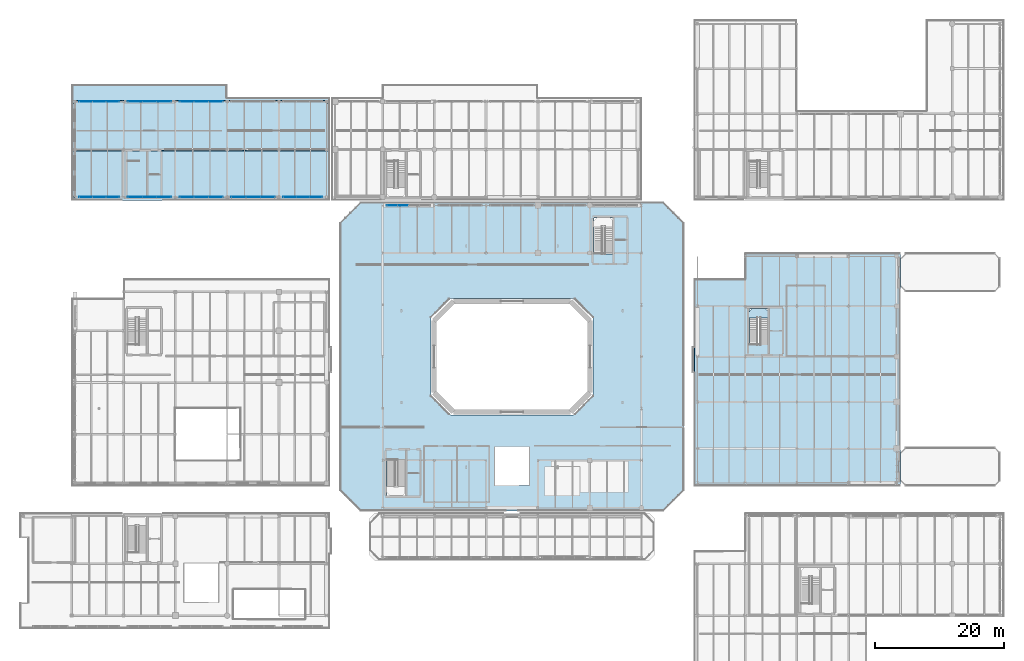
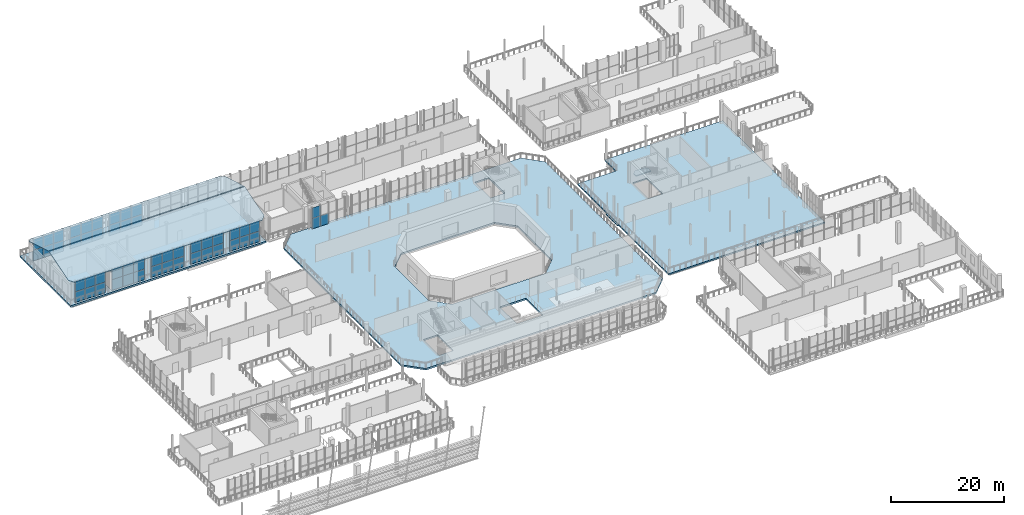
# One storey, part 63 of 93: 51 plates, 7 slabs, 10 elements without a shape of their own.
"""IFC4 building model written with IfcOpenShell, lengths in metres."""

import ifcopenshell
import ifcopenshell.guid

model = None  # the IFC model being written
_history = None  # IfcOwnerHistory: only IFC2X3 demands one
_inside = {}  # id of a spatial element -> (the spatial element, [elements in it])
_under = {}  # id of a project, library or spatial element -> (it, [spatial elements below it])
_declared = {}  # id of a project -> (the project, [libraries it declares])
_typed = {}  # id of a type object -> (the type object, [elements of that type])
_made_of = {}  # id of a material, layer set ... -> (it, [elements and type objects made of it])


def new_model(schema):
    """Start an empty IFC model of exactly this schema.

    Asked for "IFC4X3", IfcOpenShell would pick the latest addendum, in which some entities
    have other attributes; the version numbers below select the first issue.
    IFC2X3 requires an IfcOwnerHistory on every rooted entity: one is made here for all.
    """
    global model, _history
    if schema == "IFC4X3":
        model = ifcopenshell.file(schema_version=(4, 3, 0, 0))
    else:
        model = ifcopenshell.file(schema=schema)
    _inside.clear()
    _under.clear()
    _declared.clear()
    _typed.clear()
    _made_of.clear()
    _history = None
    if model.schema == "IFC2X3":
        org = make("IfcOrganization", Name="unknown")
        user = make(
            "IfcPersonAndOrganization",
            ThePerson=make("IfcPerson", FamilyName="unknown"),
            TheOrganization=org,
        )
        app = make(
            "IfcApplication",
            ApplicationDeveloper=org,
            Version="unknown",
            ApplicationFullName="unknown",
            ApplicationIdentifier="unknown",
        )
        _history = make(
            "IfcOwnerHistory",
            OwningUser=user,
            OwningApplication=app,
            ChangeAction="ADDED",
            CreationDate=0,
        )
    return model


def make(cls, **values):
    """One entity of the class cls with the attributes given. An attribute that is None is left unset."""
    return model.create_entity(
        cls, **{name: value for name, value in values.items() if value is not None}
    )


def rooted(cls, **values):
    """An entity with a GlobalId (a new one), such as an element, a storey or a relation."""
    return make(cls, GlobalId=ifcopenshell.guid.new(), OwnerHistory=_history, **values)


def si_unit(unit_type, name, prefix=None):
    """IfcSIUnit, for example si_unit("LENGTHUNIT", "METRE", prefix="MILLI")."""
    return make("IfcSIUnit", UnitType=unit_type, Prefix=prefix, Name=name)


def assignment(units):
    """IfcUnitAssignment: the units of a project."""
    return None if units is None else make("IfcUnitAssignment", Units=units)


def point(xyz):
    """IfcCartesianPoint."""
    return None if xyz is None else make("IfcCartesianPoint", Coordinates=xyz)


def direction(xyz):
    """IfcDirection."""
    return None if xyz is None else make("IfcDirection", DirectionRatios=xyz)


def frame(location, z_axis=None, x_axis=None):
    """IfcAxis2Placement3D, a coordinate frame: its origin and axes. An axis left out is left unset."""
    return make(
        "IfcAxis2Placement3D",
        Location=point(location),
        Axis=direction(z_axis),
        RefDirection=direction(x_axis),
    )


def frame_2d(location, x_axis=None):
    """IfcAxis2Placement2D, a coordinate frame in the plane: its origin and x axis."""
    return make(
        "IfcAxis2Placement2D", Location=point(location), RefDirection=direction(x_axis)
    )


def origin():
    """The frame at (0, 0, 0) with its axes left unset."""
    return frame((0.0, 0.0, 0.0))


def origin_2d():
    """The frame at (0, 0) in the plane with its x axis left unset."""
    return frame_2d((0.0, 0.0))


def place(relative_to, where):
    """IfcLocalPlacement: puts the frame where relative to a parent placement (None: the world)."""
    return make(
        "IfcLocalPlacement", PlacementRelTo=relative_to, RelativePlacement=where
    )


def context(
    kind, dimensions, precision=None, world=None, true_north=None, identifier=None
):
    """IfcGeometricRepresentationContext, for example the 3D "Model" context."""
    return make(
        "IfcGeometricRepresentationContext",
        ContextIdentifier=identifier,
        ContextType=kind,
        CoordinateSpaceDimension=dimensions,
        Precision=precision,
        WorldCoordinateSystem=world,
        TrueNorth=true_north,
    )


def subcontext(parent, identifier, kind, view, scale=None):
    """IfcGeometricRepresentationSubContext, for example "Body" below "Model"."""
    return make(
        "IfcGeometricRepresentationSubContext",
        ContextIdentifier=identifier,
        ContextType=kind,
        ParentContext=parent,
        TargetScale=scale,
        TargetView=view,
    )


def project(units=None, contexts=None):
    """IfcProject with its units and contexts."""
    return rooted(
        "IfcProject",
        Name="project",
        RepresentationContexts=contexts,
        UnitsInContext=assignment(units),
    )


def spatial(cls, under=None, at=None, **own):
    """A site, building, storey or space (cls), placed at a placement, below another one or the project."""
    s = rooted(cls, ObjectPlacement=at, **own)
    if under is not None:
        _under.setdefault(under.id(), (under, []))[1].append(s)
    return s


def polyline(points):
    """IfcPolyline through the points."""
    return make("IfcPolyline", Points=[point(p) for p in points])


def profile(cls, at=None, kind="AREA", **sizes):
    """A parametric profile (cls). Its sizes go by their IFC names, for example OverallWidth=200.0."""
    return make(cls, ProfileType=kind, Position=at, **sizes)


def rectangle(**sizes):
    """IfcRectangleProfileDef."""
    return profile("IfcRectangleProfileDef", **sizes)


def outline(outer, holes=None, kind="AREA"):
    """IfcArbitraryClosedProfileDef: a profile drawn as a closed curve; with holes, ...WithVoids."""
    if holes is None:
        return make("IfcArbitraryClosedProfileDef", ProfileType=kind, OuterCurve=outer)
    return make(
        "IfcArbitraryProfileDefWithVoids",
        ProfileType=kind,
        OuterCurve=outer,
        InnerCurves=holes,
    )


def extrude(swept, where, along, depth):
    """IfcExtrudedAreaSolid: the profile swept, set in the frame where, extruded along a direction by depth."""
    return make(
        "IfcExtrudedAreaSolid",
        SweptArea=swept,
        Position=where,
        ExtrudedDirection=direction(along),
        Depth=depth,
    )


def shape(context_of_items, identifier, shape_type, items):
    """IfcShapeRepresentation: the items that make up one representation, for example the "Body"."""
    return make(
        "IfcShapeRepresentation",
        ContextOfItems=context_of_items,
        RepresentationIdentifier=identifier,
        RepresentationType=shape_type,
        Items=items,
    )


def material(Name=None, Category=None):
    """IfcMaterial."""
    return make("IfcMaterial", Name=Name, Category=Category)


def layer(
    of_material, thickness, ventilated=None, Name=None, Category=None, Priority=None
):
    """IfcMaterialLayer: one layer of a wall or slab, of a material (None: an air gap)."""
    return make(
        "IfcMaterialLayer",
        Material=of_material,
        LayerThickness=thickness,
        IsVentilated=ventilated,
        Name=Name,
        Category=Category,
        Priority=Priority,
    )


def layer_set(layers, Name=None):
    """IfcMaterialLayerSet."""
    return make("IfcMaterialLayerSet", MaterialLayers=layers, LayerSetName=Name)


def made_of(thing, what):
    """Note that an element or type object is made of a material, layer set ...; save() writes the relation."""
    if what is not None:
        _made_of.setdefault(what.id(), (what, []))[1].append(thing)
    return thing


def type_object(cls, material=None, **own):
    """A type object (cls), such as IfcWallType, which elements share."""
    return made_of(rooted(cls, **own), material)


def element(
    cls,
    number,
    at=None,
    inside=None,
    cuts=None,
    type_object=None,
    material=None,
    context=None,
    identifier="Body",
    shape_type=None,
    held_by="IfcProductDefinitionShape",
    body=None,
    shapes=None,
    **own,
):
    """One element of the class cls, such as IfcWall. Its Tag is "e" and its number.

    at: its placement. inside: the storey or other place that contains it. cuts: it is an
    opening in that element (IfcRelVoidsElement). A single representation is given by context,
    identifier, shape_type and body (its items); several are given by shapes. held_by: the class
    of the entity that holds the representations. save() writes the other relations.
    """
    e = rooted(cls, Tag="e%d" % number, ObjectPlacement=at, **own)
    if body is not None:
        shapes = [shape(context, identifier, shape_type, body)]
    if shapes is not None:
        e.Representation = make(held_by, Representations=shapes)
    if inside is not None:
        _inside.setdefault(inside.id(), (inside, []))[1].append(e)
    if cuts is not None:
        rooted(
            "IfcRelVoidsElement", RelatingBuildingElement=cuts, RelatedOpeningElement=e
        )
    if type_object is not None:
        _typed.setdefault(type_object.id(), (type_object, []))[1].append(e)
    return made_of(e, material)


def aggregate(whole, parts):
    """IfcRelAggregates: a whole, such as a stair, and the parts it consists of."""
    return rooted("IfcRelAggregates", RelatingObject=whole, RelatedObjects=parts)


def save(model, path):
    """Write the relations noted so far, then the file.

    IfcRelAggregates (storeys below a building ...), IfcRelContainedInSpatialStructure (elements
    in a storey), IfcRelDefinesByType, IfcRelAssociatesMaterial and IfcRelDeclares: one each for
    every whole, place, type object, material and project.
    """
    for whole, parts in _under.values():
        aggregate(whole, parts)
    for where, things in _inside.values():
        rooted(
            "IfcRelContainedInSpatialStructure",
            RelatedElements=things,
            RelatingStructure=where,
        )
    for kind, things in _typed.values():
        rooted("IfcRelDefinesByType", RelatedObjects=things, RelatingType=kind)
    for what, things in _made_of.values():
        rooted("IfcRelAssociatesMaterial", RelatedObjects=things, RelatingMaterial=what)
    for by, libraries in _declared.values():
        rooted("IfcRelDeclares", RelatingContext=by, RelatedDefinitions=libraries)
    model.write(path)


model = new_model("IFC4")

# Units and contexts
model_context = context("Model", 3, precision=1e-05, world=origin(), true_north=direction((0.0, 1.0)))
body_context = subcontext(model_context, "Body", "Model", "MODEL_VIEW")
ifc_project = project(units=[si_unit("LENGTHUNIT", "METRE"), si_unit("AREAUNIT", "SQUARE_METRE"), si_unit("VOLUMEUNIT", "CUBIC_METRE"), si_unit("PLANEANGLEUNIT", "RADIAN"), si_unit("MASSUNIT", "GRAM", prefix="KILO")], contexts=[model_context])

# Site, building, storey
site_placement = place(None, origin())
site = spatial("IfcSite", under=ifc_project, at=site_placement, CompositionType="ELEMENT")
building_placement = place(site_placement, origin())
building = spatial("IfcBuilding", under=site, at=building_placement, Name="Brisemont Oceanarium", CompositionType="ELEMENT")
storey_placement = place(building_placement, frame((0.0, 0.0, 5.39990234375)))
storey = spatial("IfcBuildingStorey", under=building, at=storey_placement, Name="L01", CompositionType="ELEMENT", Elevation=5.39990234375)

# Curtain wall, plates
ifc_material_1 = material(Name="Anodized Extruded Aluminum 6063-T6", Category="aluminium")
curtain_wall_type_1 = type_object("IfcCurtainWallType", Name="CW-CLR-58X36", PredefinedType="NOTDEFINED", material=ifc_material_1)
curtain_wall_1_placement = place(storey_placement, origin())
curtain_wall_1 = element("IfcCurtainWall", 1, at=curtain_wall_1_placement, inside=storey, type_object=curtain_wall_type_1, Name="CW-21 curtain wall CW-V7W-N-L01-01", PredefinedType="NOTDEFINED")
ifc_material_2 = material(Name="Ceramic-Fritted Spandrel Glass", Category="glass")
ifc_layer_1 = layer(ifc_material_2, 0.030029296875)
ifc_layer_set_1 = layer_set([ifc_layer_1], Name="Ceramic-Fritted Spandrel Glass")
plate_type_1 = type_object("IfcPlateType", Name="PLT-CWP-S3", PredefinedType="CURTAIN_PANEL", material=ifc_layer_set_1)
plate_1_placement = place(storey_placement, frame((18.183349609375, 95.39990234375, 0.00146484375), z_axis=(0.0, 0.0, 1.0), x_axis=(1.0, 0.0, 0.0)))
plate_1 = element("IfcPlate", 2, at=plate_1_placement, type_object=plate_type_1, Name="CW-V7W-N-L01-01 panel 1.1", PredefinedType="CURTAIN_PANEL", context=body_context, shape_type="SweptSolid", body=[
    extrude(rectangle(XDim=2.063720703125, YDim=0.030029296875, at=origin_2d()), origin(), (0.0, 0.0, 1.0), 2.297119140625),
])
plate_2_placement = place(storey_placement, frame((18.183349609375, 95.39990234375, 2.3017578125), z_axis=(0.0, 0.0, 1.0), x_axis=(1.0, 0.0, 0.0)))
plate_2 = element("IfcPlate", 3, at=plate_2_placement, type_object=plate_type_1, Name="CW-V7W-N-L01-01 panel 1.2", PredefinedType="CURTAIN_PANEL", context=body_context, shape_type="SweptSolid", body=[
    extrude(rectangle(XDim=2.063720703125, YDim=0.030029296875, at=origin_2d()), origin(), (0.0, 0.0, 1.0), 2.297119140625),
])
plate_3_placement = place(storey_placement, frame((20.25, 95.39990234375, 0.00146484375), z_axis=(0.0, 0.0, 1.0), x_axis=(1.0, 0.0, 0.0)))
plate_3 = element("IfcPlate", 4, at=plate_3_placement, type_object=plate_type_1, Name="CW-V7W-N-L01-01 panel 2.1", PredefinedType="CURTAIN_PANEL", context=body_context, shape_type="SweptSolid", body=[
    extrude(rectangle(XDim=2.063720703125, YDim=0.030029296875, at=origin_2d()), origin(), (0.0, 0.0, 1.0), 2.297119140625),
])
plate_4_placement = place(storey_placement, frame((20.25, 95.39990234375, 2.3017578125), z_axis=(0.0, 0.0, 1.0), x_axis=(1.0, 0.0, 0.0)))
plate_4 = element("IfcPlate", 5, at=plate_4_placement, type_object=plate_type_1, Name="CW-V7W-N-L01-01 panel 2.2", PredefinedType="CURTAIN_PANEL", context=body_context, shape_type="SweptSolid", body=[
    extrude(rectangle(XDim=2.063720703125, YDim=0.030029296875, at=origin_2d()), origin(), (0.0, 0.0, 1.0), 2.297119140625),
])
plate_5_placement = place(storey_placement, frame((22.316650390625, 95.39990234375, 0.00146484375), z_axis=(0.0, 0.0, 1.0), x_axis=(1.0, 0.0, 0.0)))
plate_5 = element("IfcPlate", 6, at=plate_5_placement, type_object=plate_type_1, Name="CW-V7W-N-L01-01 panel 3.1", PredefinedType="CURTAIN_PANEL", context=body_context, shape_type="SweptSolid", body=[
    extrude(rectangle(XDim=2.063720703125, YDim=0.030029296875, at=origin_2d()), origin(), (0.0, 0.0, 1.0), 2.297119140625),
])
plate_6_placement = place(storey_placement, frame((22.316650390625, 95.39990234375, 2.3017578125), z_axis=(0.0, 0.0, 1.0), x_axis=(1.0, 0.0, 0.0)))
plate_6 = element("IfcPlate", 7, at=plate_6_placement, type_object=plate_type_1, Name="CW-V7W-N-L01-01 panel 3.2", PredefinedType="CURTAIN_PANEL", context=body_context, shape_type="SweptSolid", body=[
    extrude(rectangle(XDim=2.063720703125, YDim=0.030029296875, at=origin_2d()), origin(), (0.0, 0.0, 1.0), 2.297119140625),
])
aggregate(curtain_wall_1, [plate_1, plate_2, plate_3, plate_4, plate_5, plate_6])

curtain_wall_2_placement = place(storey_placement, origin())
curtain_wall_2 = element("IfcCurtainWall", 8, at=curtain_wall_2_placement, inside=storey, type_object=curtain_wall_type_1, Name="CW-21 curtain wall CW-V7W-N-L01-02", PredefinedType="NOTDEFINED")
plate_7_placement = place(storey_placement, frame((25.7666015625, 95.39990234375, 0.00146484375), z_axis=(0.0, 0.0, 1.0), x_axis=(1.0, 0.0, 0.0)))
plate_7 = element("IfcPlate", 9, at=plate_7_placement, type_object=plate_type_1, Name="CW-V7W-N-L01-02 panel 1.1", PredefinedType="CURTAIN_PANEL", context=body_context, shape_type="SweptSolid", body=[
    extrude(rectangle(XDim=2.230224609375, YDim=0.030029296875, at=origin_2d()), origin(), (0.0, 0.0, 1.0), 2.297119140625),
])
plate_8_placement = place(storey_placement, frame((25.7666015625, 95.39990234375, 2.3017578125), z_axis=(0.0, 0.0, 1.0), x_axis=(1.0, 0.0, 0.0)))
plate_8 = element("IfcPlate", 10, at=plate_8_placement, type_object=plate_type_1, Name="CW-V7W-N-L01-02 panel 1.2", PredefinedType="CURTAIN_PANEL", context=body_context, shape_type="SweptSolid", body=[
    extrude(rectangle(XDim=2.230224609375, YDim=0.030029296875, at=origin_2d()), origin(), (0.0, 0.0, 1.0), 2.297119140625),
])
plate_9_placement = place(storey_placement, frame((28.0, 95.39990234375, 0.00146484375), z_axis=(0.0, 0.0, 1.0), x_axis=(1.0, 0.0, 0.0)))
plate_9 = element("IfcPlate", 11, at=plate_9_placement, type_object=plate_type_1, Name="CW-V7W-N-L01-02 panel 2.1", PredefinedType="CURTAIN_PANEL", context=body_context, shape_type="SweptSolid", body=[
    extrude(rectangle(XDim=2.230224609375, YDim=0.030029296875, at=origin_2d()), origin(), (0.0, 0.0, 1.0), 2.297119140625),
])
plate_10_placement = place(storey_placement, frame((28.0, 95.39990234375, 2.3017578125), z_axis=(0.0, 0.0, 1.0), x_axis=(1.0, 0.0, 0.0)))
plate_10 = element("IfcPlate", 12, at=plate_10_placement, type_object=plate_type_1, Name="CW-V7W-N-L01-02 panel 2.2", PredefinedType="CURTAIN_PANEL", context=body_context, shape_type="SweptSolid", body=[
    extrude(rectangle(XDim=2.230224609375, YDim=0.030029296875, at=origin_2d()), origin(), (0.0, 0.0, 1.0), 2.297119140625),
])
plate_11_placement = place(storey_placement, frame((30.2333984375, 95.39990234375, 0.00146484375), z_axis=(0.0, 0.0, 1.0), x_axis=(1.0, 0.0, 0.0)))
plate_11 = element("IfcPlate", 13, at=plate_11_placement, type_object=plate_type_1, Name="CW-V7W-N-L01-02 panel 3.1", PredefinedType="CURTAIN_PANEL", context=body_context, shape_type="SweptSolid", body=[
    extrude(rectangle(XDim=2.230224609375, YDim=0.030029296875, at=origin_2d()), origin(), (0.0, 0.0, 1.0), 2.297119140625),
])
plate_12_placement = place(storey_placement, frame((30.2333984375, 95.39990234375, 2.3017578125), z_axis=(0.0, 0.0, 1.0), x_axis=(1.0, 0.0, 0.0)))
plate_12 = element("IfcPlate", 14, at=plate_12_placement, type_object=plate_type_1, Name="CW-V7W-N-L01-02 panel 3.2", PredefinedType="CURTAIN_PANEL", context=body_context, shape_type="SweptSolid", body=[
    extrude(rectangle(XDim=2.230224609375, YDim=0.030029296875, at=origin_2d()), origin(), (0.0, 0.0, 1.0), 2.297119140625),
])
aggregate(curtain_wall_2, [plate_7, plate_8, plate_9, plate_10, plate_11, plate_12])

curtain_wall_3_placement = place(storey_placement, origin())
curtain_wall_3 = element("IfcCurtainWall", 15, at=curtain_wall_3_placement, inside=storey, type_object=curtain_wall_type_1, Name="CW-21 curtain wall CW-V7W-N-L01-03", PredefinedType="NOTDEFINED")
plate_13_placement = place(storey_placement, frame((33.7666015625, 95.39990234375, 0.00146484375), z_axis=(0.0, 0.0, 1.0), x_axis=(1.0, 0.0, 0.0)))
plate_13 = element("IfcPlate", 16, at=plate_13_placement, type_object=plate_type_1, Name="CW-V7W-N-L01-03 panel 1.1", PredefinedType="CURTAIN_PANEL", context=body_context, shape_type="SweptSolid", body=[
    extrude(rectangle(XDim=2.230224609375, YDim=0.030029296875, at=origin_2d()), origin(), (0.0, 0.0, 1.0), 2.297119140625),
])
plate_14_placement = place(storey_placement, frame((33.7666015625, 95.39990234375, 2.3017578125), z_axis=(0.0, 0.0, 1.0), x_axis=(1.0, 0.0, 0.0)))
plate_14 = element("IfcPlate", 17, at=plate_14_placement, type_object=plate_type_1, Name="CW-V7W-N-L01-03 panel 1.2", PredefinedType="CURTAIN_PANEL", context=body_context, shape_type="SweptSolid", body=[
    extrude(rectangle(XDim=2.230224609375, YDim=0.030029296875, at=origin_2d()), origin(), (0.0, 0.0, 1.0), 2.297119140625),
])
plate_15_placement = place(storey_placement, frame((36.0, 95.39990234375, 0.00146484375), z_axis=(0.0, 0.0, 1.0), x_axis=(1.0, 0.0, 0.0)))
plate_15 = element("IfcPlate", 18, at=plate_15_placement, type_object=plate_type_1, Name="CW-V7W-N-L01-03 panel 2.1", PredefinedType="CURTAIN_PANEL", context=body_context, shape_type="SweptSolid", body=[
    extrude(rectangle(XDim=2.230224609375, YDim=0.030029296875, at=origin_2d()), origin(), (0.0, 0.0, 1.0), 2.297119140625),
])
plate_16_placement = place(storey_placement, frame((36.0, 95.39990234375, 2.3017578125), z_axis=(0.0, 0.0, 1.0), x_axis=(1.0, 0.0, 0.0)))
plate_16 = element("IfcPlate", 19, at=plate_16_placement, type_object=plate_type_1, Name="CW-V7W-N-L01-03 panel 2.2", PredefinedType="CURTAIN_PANEL", context=body_context, shape_type="SweptSolid", body=[
    extrude(rectangle(XDim=2.230224609375, YDim=0.030029296875, at=origin_2d()), origin(), (0.0, 0.0, 1.0), 2.297119140625),
])
plate_17_placement = place(storey_placement, frame((38.2333984375, 95.39990234375, 0.00146484375), z_axis=(0.0, 0.0, 1.0), x_axis=(1.0, 0.0, 0.0)))
plate_17 = element("IfcPlate", 20, at=plate_17_placement, type_object=plate_type_1, Name="CW-V7W-N-L01-03 panel 3.1", PredefinedType="CURTAIN_PANEL", context=body_context, shape_type="SweptSolid", body=[
    extrude(rectangle(XDim=2.230224609375, YDim=0.030029296875, at=origin_2d()), origin(), (0.0, 0.0, 1.0), 2.297119140625),
])
plate_18_placement = place(storey_placement, frame((38.2333984375, 95.39990234375, 2.3017578125), z_axis=(0.0, 0.0, 1.0), x_axis=(1.0, 0.0, 0.0)))
plate_18 = element("IfcPlate", 21, at=plate_18_placement, type_object=plate_type_1, Name="CW-V7W-N-L01-03 panel 3.2", PredefinedType="CURTAIN_PANEL", context=body_context, shape_type="SweptSolid", body=[
    extrude(rectangle(XDim=2.230224609375, YDim=0.030029296875, at=origin_2d()), origin(), (0.0, 0.0, 1.0), 2.297119140625),
])
aggregate(curtain_wall_3, [plate_13, plate_14, plate_15, plate_16, plate_17, plate_18])

curtain_wall_4_placement = place(storey_placement, origin())
curtain_wall_4 = element("IfcCurtainWall", 22, at=curtain_wall_4_placement, inside=storey, type_object=curtain_wall_type_1, Name="CW-21 curtain wall CW-V7W-S-L01-01", PredefinedType="NOTDEFINED")
plate_19_placement = place(storey_placement, frame((18.183349609375, 80.64990234375, 0.00146484375), z_axis=(0.0, 0.0, 1.0), x_axis=(1.0, 0.0, 0.0)))
plate_19 = element("IfcPlate", 23, at=plate_19_placement, type_object=plate_type_1, Name="CW-V7W-S-L01-01 panel 1.1", PredefinedType="CURTAIN_PANEL", context=body_context, shape_type="SweptSolid", body=[
    extrude(rectangle(XDim=2.063720703125, YDim=0.030029296875, at=origin_2d()), origin(), (0.0, 0.0, 1.0), 2.297119140625),
])
plate_20_placement = place(storey_placement, frame((18.183349609375, 80.64990234375, 2.3017578125), z_axis=(0.0, 0.0, 1.0), x_axis=(1.0, 0.0, 0.0)))
plate_20 = element("IfcPlate", 24, at=plate_20_placement, type_object=plate_type_1, Name="CW-V7W-S-L01-01 panel 1.2", PredefinedType="CURTAIN_PANEL", context=body_context, shape_type="SweptSolid", body=[
    extrude(rectangle(XDim=2.063720703125, YDim=0.030029296875, at=origin_2d()), origin(), (0.0, 0.0, 1.0), 2.297119140625),
])
plate_21_placement = place(storey_placement, frame((20.25, 80.64990234375, 0.00146484375), z_axis=(0.0, 0.0, 1.0), x_axis=(1.0, 0.0, 0.0)))
plate_21 = element("IfcPlate", 25, at=plate_21_placement, type_object=plate_type_1, Name="CW-V7W-S-L01-01 panel 2.1", PredefinedType="CURTAIN_PANEL", context=body_context, shape_type="SweptSolid", body=[
    extrude(rectangle(XDim=2.063720703125, YDim=0.030029296875, at=origin_2d()), origin(), (0.0, 0.0, 1.0), 2.297119140625),
])
plate_22_placement = place(storey_placement, frame((20.25, 80.64990234375, 2.3017578125), z_axis=(0.0, 0.0, 1.0), x_axis=(1.0, 0.0, 0.0)))
plate_22 = element("IfcPlate", 26, at=plate_22_placement, type_object=plate_type_1, Name="CW-V7W-S-L01-01 panel 2.2", PredefinedType="CURTAIN_PANEL", context=body_context, shape_type="SweptSolid", body=[
    extrude(rectangle(XDim=2.063720703125, YDim=0.030029296875, at=origin_2d()), origin(), (0.0, 0.0, 1.0), 2.297119140625),
])
plate_23_placement = place(storey_placement, frame((22.316650390625, 80.64990234375, 0.00146484375), z_axis=(0.0, 0.0, 1.0), x_axis=(1.0, 0.0, 0.0)))
plate_23 = element("IfcPlate", 27, at=plate_23_placement, type_object=plate_type_1, Name="CW-V7W-S-L01-01 panel 3.1", PredefinedType="CURTAIN_PANEL", context=body_context, shape_type="SweptSolid", body=[
    extrude(rectangle(XDim=2.063720703125, YDim=0.030029296875, at=origin_2d()), origin(), (0.0, 0.0, 1.0), 2.297119140625),
])
plate_24_placement = place(storey_placement, frame((22.316650390625, 80.64990234375, 2.3017578125), z_axis=(0.0, 0.0, 1.0), x_axis=(1.0, 0.0, 0.0)))
plate_24 = element("IfcPlate", 28, at=plate_24_placement, type_object=plate_type_1, Name="CW-V7W-S-L01-01 panel 3.2", PredefinedType="CURTAIN_PANEL", context=body_context, shape_type="SweptSolid", body=[
    extrude(rectangle(XDim=2.063720703125, YDim=0.030029296875, at=origin_2d()), origin(), (0.0, 0.0, 1.0), 2.297119140625),
])
aggregate(curtain_wall_4, [plate_19, plate_20, plate_21, plate_22, plate_23, plate_24])

curtain_wall_5_placement = place(storey_placement, origin())
curtain_wall_5 = element("IfcCurtainWall", 29, at=curtain_wall_5_placement, inside=storey, type_object=curtain_wall_type_1, Name="CW-21 curtain wall CW-V7W-S-L01-02", PredefinedType="NOTDEFINED")
plate_25_placement = place(storey_placement, frame((25.7666015625, 80.64990234375, 0.00146484375), z_axis=(0.0, 0.0, 1.0), x_axis=(1.0, 0.0, 0.0)))
plate_25 = element("IfcPlate", 30, at=plate_25_placement, type_object=plate_type_1, Name="CW-V7W-S-L01-02 panel 1.1", PredefinedType="CURTAIN_PANEL", context=body_context, shape_type="SweptSolid", body=[
    extrude(rectangle(XDim=2.230224609375, YDim=0.030029296875, at=origin_2d()), origin(), (0.0, 0.0, 1.0), 2.297119140625),
])
plate_26_placement = place(storey_placement, frame((25.7666015625, 80.64990234375, 2.3017578125), z_axis=(0.0, 0.0, 1.0), x_axis=(1.0, 0.0, 0.0)))
plate_26 = element("IfcPlate", 31, at=plate_26_placement, type_object=plate_type_1, Name="CW-V7W-S-L01-02 panel 1.2", PredefinedType="CURTAIN_PANEL", context=body_context, shape_type="SweptSolid", body=[
    extrude(rectangle(XDim=2.230224609375, YDim=0.030029296875, at=origin_2d()), origin(), (0.0, 0.0, 1.0), 2.297119140625),
])
plate_27_placement = place(storey_placement, frame((28.0, 80.64990234375, 0.00146484375), z_axis=(0.0, 0.0, 1.0), x_axis=(1.0, 0.0, 0.0)))
plate_27 = element("IfcPlate", 32, at=plate_27_placement, type_object=plate_type_1, Name="CW-V7W-S-L01-02 panel 2.1", PredefinedType="CURTAIN_PANEL", context=body_context, shape_type="SweptSolid", body=[
    extrude(rectangle(XDim=2.230224609375, YDim=0.030029296875, at=origin_2d()), origin(), (0.0, 0.0, 1.0), 2.297119140625),
])
plate_28_placement = place(storey_placement, frame((28.0, 80.64990234375, 2.3017578125), z_axis=(0.0, 0.0, 1.0), x_axis=(1.0, 0.0, 0.0)))
plate_28 = element("IfcPlate", 33, at=plate_28_placement, type_object=plate_type_1, Name="CW-V7W-S-L01-02 panel 2.2", PredefinedType="CURTAIN_PANEL", context=body_context, shape_type="SweptSolid", body=[
    extrude(rectangle(XDim=2.230224609375, YDim=0.030029296875, at=origin_2d()), origin(), (0.0, 0.0, 1.0), 2.297119140625),
])
plate_29_placement = place(storey_placement, frame((30.2333984375, 80.64990234375, 0.00146484375), z_axis=(0.0, 0.0, 1.0), x_axis=(1.0, 0.0, 0.0)))
plate_29 = element("IfcPlate", 34, at=plate_29_placement, type_object=plate_type_1, Name="CW-V7W-S-L01-02 panel 3.1", PredefinedType="CURTAIN_PANEL", context=body_context, shape_type="SweptSolid", body=[
    extrude(rectangle(XDim=2.230224609375, YDim=0.030029296875, at=origin_2d()), origin(), (0.0, 0.0, 1.0), 2.297119140625),
])
plate_30_placement = place(storey_placement, frame((30.2333984375, 80.64990234375, 2.3017578125), z_axis=(0.0, 0.0, 1.0), x_axis=(1.0, 0.0, 0.0)))
plate_30 = element("IfcPlate", 35, at=plate_30_placement, type_object=plate_type_1, Name="CW-V7W-S-L01-02 panel 3.2", PredefinedType="CURTAIN_PANEL", context=body_context, shape_type="SweptSolid", body=[
    extrude(rectangle(XDim=2.230224609375, YDim=0.030029296875, at=origin_2d()), origin(), (0.0, 0.0, 1.0), 2.297119140625),
])
aggregate(curtain_wall_5, [plate_25, plate_26, plate_27, plate_28, plate_29, plate_30])

curtain_wall_6_placement = place(storey_placement, origin())
curtain_wall_6 = element("IfcCurtainWall", 36, at=curtain_wall_6_placement, inside=storey, type_object=curtain_wall_type_1, Name="CW-21 curtain wall CW-V7W-S-L01-03", PredefinedType="NOTDEFINED")
plate_31_placement = place(storey_placement, frame((33.7666015625, 80.64990234375, 0.00146484375), z_axis=(0.0, 0.0, 1.0), x_axis=(1.0, 0.0, 0.0)))
plate_31 = element("IfcPlate", 37, at=plate_31_placement, type_object=plate_type_1, Name="CW-V7W-S-L01-03 panel 1.1", PredefinedType="CURTAIN_PANEL", context=body_context, shape_type="SweptSolid", body=[
    extrude(rectangle(XDim=2.230224609375, YDim=0.030029296875, at=origin_2d()), origin(), (0.0, 0.0, 1.0), 2.297119140625),
])
plate_32_placement = place(storey_placement, frame((33.7666015625, 80.64990234375, 2.3017578125), z_axis=(0.0, 0.0, 1.0), x_axis=(1.0, 0.0, 0.0)))
plate_32 = element("IfcPlate", 38, at=plate_32_placement, type_object=plate_type_1, Name="CW-V7W-S-L01-03 panel 1.2", PredefinedType="CURTAIN_PANEL", context=body_context, shape_type="SweptSolid", body=[
    extrude(rectangle(XDim=2.230224609375, YDim=0.030029296875, at=origin_2d()), origin(), (0.0, 0.0, 1.0), 2.297119140625),
])
plate_33_placement = place(storey_placement, frame((36.0, 80.64990234375, 0.00146484375), z_axis=(0.0, 0.0, 1.0), x_axis=(1.0, 0.0, 0.0)))
plate_33 = element("IfcPlate", 39, at=plate_33_placement, type_object=plate_type_1, Name="CW-V7W-S-L01-03 panel 2.1", PredefinedType="CURTAIN_PANEL", context=body_context, shape_type="SweptSolid", body=[
    extrude(rectangle(XDim=2.230224609375, YDim=0.030029296875, at=origin_2d()), origin(), (0.0, 0.0, 1.0), 2.297119140625),
])
plate_34_placement = place(storey_placement, frame((36.0, 80.64990234375, 2.3017578125), z_axis=(0.0, 0.0, 1.0), x_axis=(1.0, 0.0, 0.0)))
plate_34 = element("IfcPlate", 40, at=plate_34_placement, type_object=plate_type_1, Name="CW-V7W-S-L01-03 panel 2.2", PredefinedType="CURTAIN_PANEL", context=body_context, shape_type="SweptSolid", body=[
    extrude(rectangle(XDim=2.230224609375, YDim=0.030029296875, at=origin_2d()), origin(), (0.0, 0.0, 1.0), 2.297119140625),
])
plate_35_placement = place(storey_placement, frame((38.2333984375, 80.64990234375, 0.00146484375), z_axis=(0.0, 0.0, 1.0), x_axis=(1.0, 0.0, 0.0)))
plate_35 = element("IfcPlate", 41, at=plate_35_placement, type_object=plate_type_1, Name="CW-V7W-S-L01-03 panel 3.1", PredefinedType="CURTAIN_PANEL", context=body_context, shape_type="SweptSolid", body=[
    extrude(rectangle(XDim=2.230224609375, YDim=0.030029296875, at=origin_2d()), origin(), (0.0, 0.0, 1.0), 2.297119140625),
])
plate_36_placement = place(storey_placement, frame((38.2333984375, 80.64990234375, 2.3017578125), z_axis=(0.0, 0.0, 1.0), x_axis=(1.0, 0.0, 0.0)))
plate_36 = element("IfcPlate", 42, at=plate_36_placement, type_object=plate_type_1, Name="CW-V7W-S-L01-03 panel 3.2", PredefinedType="CURTAIN_PANEL", context=body_context, shape_type="SweptSolid", body=[
    extrude(rectangle(XDim=2.230224609375, YDim=0.030029296875, at=origin_2d()), origin(), (0.0, 0.0, 1.0), 2.297119140625),
])
aggregate(curtain_wall_6, [plate_31, plate_32, plate_33, plate_34, plate_35, plate_36])

curtain_wall_7_placement = place(storey_placement, origin())
curtain_wall_7 = element("IfcCurtainWall", 43, at=curtain_wall_7_placement, inside=storey, type_object=curtain_wall_type_1, Name="CW-21 curtain wall CW-V7W-S-L01-04", PredefinedType="NOTDEFINED")
plate_37_placement = place(storey_placement, frame((41.7666015625, 80.64990234375, 0.00146484375), z_axis=(0.0, 0.0, 1.0), x_axis=(1.0, 0.0, 0.0)))
plate_37 = element("IfcPlate", 44, at=plate_37_placement, type_object=plate_type_1, Name="CW-V7W-S-L01-04 panel 1.1", PredefinedType="CURTAIN_PANEL", context=body_context, shape_type="SweptSolid", body=[
    extrude(rectangle(XDim=2.230224609375, YDim=0.030029296875, at=origin_2d()), origin(), (0.0, 0.0, 1.0), 2.297119140625),
])
plate_38_placement = place(storey_placement, frame((41.7666015625, 80.64990234375, 2.3017578125), z_axis=(0.0, 0.0, 1.0), x_axis=(1.0, 0.0, 0.0)))
plate_38 = element("IfcPlate", 45, at=plate_38_placement, type_object=plate_type_1, Name="CW-V7W-S-L01-04 panel 1.2", PredefinedType="CURTAIN_PANEL", context=body_context, shape_type="SweptSolid", body=[
    extrude(rectangle(XDim=2.230224609375, YDim=0.030029296875, at=origin_2d()), origin(), (0.0, 0.0, 1.0), 2.297119140625),
])
plate_39_placement = place(storey_placement, frame((44.0, 80.64990234375, 0.00146484375), z_axis=(0.0, 0.0, 1.0), x_axis=(1.0, 0.0, 0.0)))
plate_39 = element("IfcPlate", 46, at=plate_39_placement, type_object=plate_type_1, Name="CW-V7W-S-L01-04 panel 2.1", PredefinedType="CURTAIN_PANEL", context=body_context, shape_type="SweptSolid", body=[
    extrude(rectangle(XDim=2.230224609375, YDim=0.030029296875, at=origin_2d()), origin(), (0.0, 0.0, 1.0), 2.297119140625),
])
plate_40_placement = place(storey_placement, frame((44.0, 80.64990234375, 2.3017578125), z_axis=(0.0, 0.0, 1.0), x_axis=(1.0, 0.0, 0.0)))
plate_40 = element("IfcPlate", 47, at=plate_40_placement, type_object=plate_type_1, Name="CW-V7W-S-L01-04 panel 2.2", PredefinedType="CURTAIN_PANEL", context=body_context, shape_type="SweptSolid", body=[
    extrude(rectangle(XDim=2.230224609375, YDim=0.030029296875, at=origin_2d()), origin(), (0.0, 0.0, 1.0), 2.297119140625),
])
plate_41_placement = place(storey_placement, frame((46.2333984375, 80.64990234375, 0.00146484375), z_axis=(0.0, 0.0, 1.0), x_axis=(1.0, 0.0, 0.0)))
plate_41 = element("IfcPlate", 48, at=plate_41_placement, type_object=plate_type_1, Name="CW-V7W-S-L01-04 panel 3.1", PredefinedType="CURTAIN_PANEL", context=body_context, shape_type="SweptSolid", body=[
    extrude(rectangle(XDim=2.230224609375, YDim=0.030029296875, at=origin_2d()), origin(), (0.0, 0.0, 1.0), 2.297119140625),
])
plate_42_placement = place(storey_placement, frame((46.2333984375, 80.64990234375, 2.3017578125), z_axis=(0.0, 0.0, 1.0), x_axis=(1.0, 0.0, 0.0)))
plate_42 = element("IfcPlate", 49, at=plate_42_placement, type_object=plate_type_1, Name="CW-V7W-S-L01-04 panel 3.2", PredefinedType="CURTAIN_PANEL", context=body_context, shape_type="SweptSolid", body=[
    extrude(rectangle(XDim=2.230224609375, YDim=0.030029296875, at=origin_2d()), origin(), (0.0, 0.0, 1.0), 2.297119140625),
])
aggregate(curtain_wall_7, [plate_37, plate_38, plate_39, plate_40, plate_41, plate_42])

curtain_wall_8_placement = place(storey_placement, origin())
curtain_wall_8 = element("IfcCurtainWall", 50, at=curtain_wall_8_placement, inside=storey, type_object=curtain_wall_type_1, Name="CW-21 curtain wall CW-V7W-S-L01-05", PredefinedType="NOTDEFINED")
plate_43_placement = place(storey_placement, frame((49.658203125, 80.64990234375, 0.00146484375), z_axis=(0.0, 0.0, 1.0), x_axis=(1.0, 0.0, 0.0)))
plate_43 = element("IfcPlate", 51, at=plate_43_placement, type_object=plate_type_1, Name="CW-V7W-S-L01-05 panel 1.1", PredefinedType="CURTAIN_PANEL", context=body_context, shape_type="SweptSolid", body=[
    extrude(rectangle(XDim=2.013671875, YDim=0.030029296875, at=origin_2d()), origin(), (0.0, 0.0, 1.0), 2.297119140625),
])
plate_44_placement = place(storey_placement, frame((49.658203125, 80.64990234375, 2.3017578125), z_axis=(0.0, 0.0, 1.0), x_axis=(1.0, 0.0, 0.0)))
plate_44 = element("IfcPlate", 52, at=plate_44_placement, type_object=plate_type_1, Name="CW-V7W-S-L01-05 panel 1.2", PredefinedType="CURTAIN_PANEL", context=body_context, shape_type="SweptSolid", body=[
    extrude(rectangle(XDim=2.013671875, YDim=0.030029296875, at=origin_2d()), origin(), (0.0, 0.0, 1.0), 2.297119140625),
])
plate_45_placement = place(storey_placement, frame((51.675048828125, 80.64990234375, 0.00146484375), z_axis=(0.0, 0.0, 1.0), x_axis=(1.0, 0.0, 0.0)))
plate_45 = element("IfcPlate", 53, at=plate_45_placement, type_object=plate_type_1, Name="CW-V7W-S-L01-05 panel 2.1", PredefinedType="CURTAIN_PANEL", context=body_context, shape_type="SweptSolid", body=[
    extrude(rectangle(XDim=2.013671875, YDim=0.030029296875, at=origin_2d()), origin(), (0.0, 0.0, 1.0), 2.297119140625),
])
plate_46_placement = place(storey_placement, frame((51.675048828125, 80.64990234375, 2.3017578125), z_axis=(0.0, 0.0, 1.0), x_axis=(1.0, 0.0, 0.0)))
plate_46 = element("IfcPlate", 54, at=plate_46_placement, type_object=plate_type_1, Name="CW-V7W-S-L01-05 panel 2.2", PredefinedType="CURTAIN_PANEL", context=body_context, shape_type="SweptSolid", body=[
    extrude(rectangle(XDim=2.013671875, YDim=0.030029296875, at=origin_2d()), origin(), (0.0, 0.0, 1.0), 2.297119140625),
])
plate_47_placement = place(storey_placement, frame((53.691650390625, 80.64990234375, 0.00146484375), z_axis=(0.0, 0.0, 1.0), x_axis=(1.0, 0.0, 0.0)))
plate_47 = element("IfcPlate", 55, at=plate_47_placement, type_object=plate_type_1, Name="CW-V7W-S-L01-05 panel 3.1", PredefinedType="CURTAIN_PANEL", context=body_context, shape_type="SweptSolid", body=[
    extrude(rectangle(XDim=2.013671875, YDim=0.030029296875, at=origin_2d()), origin(), (0.0, 0.0, 1.0), 2.297119140625),
])
plate_48_placement = place(storey_placement, frame((53.691650390625, 80.64990234375, 2.3017578125), z_axis=(0.0, 0.0, 1.0), x_axis=(1.0, 0.0, 0.0)))
plate_48 = element("IfcPlate", 56, at=plate_48_placement, type_object=plate_type_1, Name="CW-V7W-S-L01-05 panel 3.2", PredefinedType="CURTAIN_PANEL", context=body_context, shape_type="SweptSolid", body=[
    extrude(rectangle(XDim=2.013671875, YDim=0.030029296875, at=origin_2d()), origin(), (0.0, 0.0, 1.0), 2.297119140625),
])
aggregate(curtain_wall_8, [plate_43, plate_44, plate_45, plate_46, plate_47, plate_48])

ifc_material_3 = material(Name="Anodized Extruded Aluminum 6063-T6", Category="aluminium")
curtain_wall_type_2 = type_object("IfcCurtainWallType", Name="CW-ROT-69X44", PredefinedType="NOTDEFINED", material=ifc_material_3)
curtain_wall_9_placement = place(storey_placement, origin())
curtain_wall_9 = element("IfcCurtainWall", 57, at=curtain_wall_9_placement, inside=storey, type_object=curtain_wall_type_2, Name="CW-03 curtain wall CW-V1-N-L01-01", PredefinedType="NOTDEFINED")
ifc_material_4 = material(Name="Insulated Low-E Laminated Glass", Category="glass")
ifc_layer_2 = layer(ifc_material_4, 0.028076171875)
ifc_layer_set_2 = layer_set([ifc_layer_2], Name="Insulated Low-E Laminated Glass")
plate_type_2 = type_object("IfcPlateType", Name="PLT-CWP-V3", PredefinedType="CURTAIN_PANEL", material=ifc_layer_set_2)
plate_49_placement = place(storey_placement, frame((65.487548828125, 79.35009765625, 0.00146484375), z_axis=(0.0, 0.0, 1.0), x_axis=(1.0, 0.0, 0.0)))
plate_49 = element("IfcPlate", 58, at=plate_49_placement, type_object=plate_type_2, Name="CW-V1-N-L01-01 panel 1.1", PredefinedType="CURTAIN_PANEL", context=body_context, shape_type="SweptSolid", body=[
    extrude(rectangle(XDim=1.672119140625, YDim=0.028076171875, at=origin_2d()), origin(), (0.0, 0.0, 1.0), 2.2470703125),
])
plate_50_placement = place(storey_placement, frame((65.487548828125, 79.35009765625, 2.25146484375), z_axis=(0.0, 0.0, 1.0), x_axis=(1.0, 0.0, 0.0)))
plate_50 = element("IfcPlate", 59, at=plate_50_placement, type_object=plate_type_2, Name="CW-V1-N-L01-01 panel 1.2", PredefinedType="CURTAIN_PANEL", context=body_context, shape_type="SweptSolid", body=[
    extrude(rectangle(XDim=1.672119140625, YDim=0.028076171875, at=origin_2d()), origin(), (0.0, 0.0, 1.0), 2.2470703125),
])
plate_51_placement = place(storey_placement, frame((67.16259765625, 79.35009765625, 0.00146484375), z_axis=(0.0, 0.0, 1.0), x_axis=(1.0, 0.0, 0.0)))
plate_51 = element("IfcPlate", 60, at=plate_51_placement, type_object=plate_type_2, Name="CW-V1-N-L01-01 panel 2.1", PredefinedType="CURTAIN_PANEL", context=body_context, shape_type="SweptSolid", body=[
    extrude(rectangle(XDim=1.672119140625, YDim=0.028076171875, at=origin_2d()), origin(), (0.0, 0.0, 1.0), 2.2470703125),
])
aggregate(curtain_wall_9, [plate_49, plate_50, plate_51])

# Slabs
ifc_material_5 = material(Name="Concrete C35/45", Category="concrete")
ifc_layer_3 = layer(ifc_material_5, 0.239990234375)
ifc_layer_set_3 = layer_set([ifc_layer_3], Name="Concrete C35/45")
slab_type_1 = type_object("IfcSlabType", Name="SLB-FLR-240", PredefinedType="FLOOR", material=ifc_layer_set_3)
slab_1_placement = place(storey_placement, frame((0.0, 0.0, -0.239990234375)))
element("IfcSlab", 61, at=slab_1_placement, inside=storey, type_object=slab_type_1, Name="SB_SB-04 L01 floor slab", PredefinedType="FLOOR", context=body_context, shape_type="SweptSolid", body=[
    extrude(outline(polyline([(111.889892578125, 53.5), (112.110107421875, 53.5), (112.14990234375, 53.5400390625), (112.14990234375, 57.4599609375), (112.110107421875, 57.5), (111.889892578125, 57.5), (111.85009765625, 57.4599609375), (111.85009765625, 53.5400390625), (111.889892578125, 53.5)])), origin(), (0.0, 0.0, 1.0), 0.239990234375),
])
ifc_material_6 = material(Name="Concrete C35/45", Category="concrete")
ifc_layer_4 = layer(ifc_material_6, 0.300048828125)
ifc_layer_set_4 = layer_set([ifc_layer_4], Name="Concrete C35/45")
slab_type_2 = type_object("IfcSlabType", Name="SLB-FLR-300", PredefinedType="FLOOR", material=ifc_layer_set_4)
slab_2_placement = place(storey_placement, frame((0.0, 0.0, -0.2998046875)))
element("IfcSlab", 62, at=slab_2_placement, inside=storey, type_object=slab_type_2, Name="V5E L01 floor slab", PredefinedType="FLOOR", context=body_context, shape_type="SweptSolid", body=[
    extrude(outline(polyline([(112.14990234375, 36.0), (144.0, 36.0), (144.0, 72.0), (120.0, 72.0), (120.0, 68.0), (112.14990234375, 68.0), (112.14990234375, 36.0)]), holes=[polyline([(120.669921875, 57.840087890625), (123.570068359375, 57.840087890625), (123.570068359375, 63.3798828125), (120.669921875, 63.3798828125), (120.669921875, 57.840087890625)])]), origin(), (0.0, 0.0, 1.0), 0.2998046875),
])
ifc_material_7 = material(Name="Concrete C35/45", Category="concrete")
ifc_layer_5 = layer(ifc_material_7, 0.340087890625)
ifc_layer_set_5 = layer_set([ifc_layer_5], Name="Concrete C35/45")
slab_type_3 = type_object("IfcSlabType", Name="SLB-FLR-340", PredefinedType="FLOOR", material=ifc_layer_set_5)
slab_3_placement = place(storey_placement, frame((0.0, 0.0, -0.33984375)))
element("IfcSlab", 63, at=slab_3_placement, inside=storey, type_object=slab_type_3, Name="V1 L01 floor slab", PredefinedType="FLOOR", context=body_context, shape_type="SweptSolid", body=[
    extrude(outline(polyline([(60.60009765625, 32.14990234375), (107.39990234375, 32.14990234375), (110.60009765625, 35.35009765625), (110.60009765625, 76.64990234375), (107.39990234375, 79.85009765625), (60.60009765625, 79.85009765625), (57.39990234375, 76.64990234375), (57.39990234375, 35.35009765625), (60.60009765625, 32.14990234375)]), holes=[polyline([(74.5, 47.0), (93.5, 47.0), (96.5, 50.0), (96.5, 62.0), (93.5, 65.0), (74.5, 65.0), (71.5, 62.0), (71.5, 50.0), (74.5, 47.0)]), polyline([(64.669921875, 34.570068359375), (67.570068359375, 34.570068359375), (67.570068359375, 40.110107421875), (64.669921875, 40.110107421875), (64.669921875, 34.570068359375)]), polyline([(96.669921875, 71.889892578125), (99.570068359375, 71.889892578125), (99.570068359375, 77.429931640625), (96.669921875, 77.429931640625), (96.669921875, 71.889892578125)]), polyline([(81.35009765625, 36.090087890625), (86.64990234375, 36.090087890625), (86.64990234375, 42.050048828125), (81.35009765625, 42.050048828125), (81.35009765625, 36.090087890625)])]), origin(), (0.0, 0.0, 1.0), 0.33984375),
])
slab_4_placement = place(storey_placement, frame((0.0, 0.0, -0.33984375)))
element("IfcSlab", 64, at=slab_4_placement, inside=storey, type_object=slab_type_3, Name="V7W L01 floor slab", PredefinedType="FLOOR", context=body_context, shape_type="SweptSolid", body=[
    extrude(outline(polyline([(16.0, 80.14990234375), (55.85009765625, 80.14990234375), (55.85009765625, 96.0), (40.0, 96.0), (40.0, 98.0), (16.0, 98.0), (16.0, 80.14990234375)]), holes=[polyline([(24.669921875, 80.719970703125), (27.570068359375, 80.719970703125), (27.570068359375, 86.260009765625), (24.669921875, 86.260009765625), (24.669921875, 80.719970703125)])]), origin(), (0.0, 0.0, 1.0), 0.33984375),
])

# Stair, slab
ifc_material_8 = material(Name="Concrete C40/50", Category="concrete")
stair_type = type_object("IfcStairType", Name="STR-CORE-120-48", PredefinedType="HALF_TURN_STAIR", material=ifc_material_8)
stair_placement = place(storey_placement, origin())
stair = element("IfcStair", 65, at=stair_placement, inside=storey, type_object=stair_type, Name="Exit stair ST-06 L01 to L02", PredefinedType="HALF_TURN_STAIR")
ifc_material_9 = material(Name="Concrete C40/50", Category="concrete")
ifc_layer_6 = layer(ifc_material_9, 0.219970703125)
ifc_layer_set_6 = layer_set([ifc_layer_6], Name="Concrete C40/50")
slab_type_4 = type_object("IfcSlabType", Name="SLB-LANDING-220", PredefinedType="LANDING", material=ifc_layer_set_6)
slab_5_placement = place(storey_placement, frame((0.0, 0.0, 2.18017578125)))
slab_5 = element("IfcSlab", 66, at=slab_5_placement, type_object=slab_type_4, Name="ST-06 L01 half-landing", PredefinedType="LANDING", context=body_context, shape_type="SweptSolid", body=[
    extrude(outline(polyline([(120.570068359375, 61.989990234375), (123.64990234375, 61.989990234375), (123.64990234375, 62.8701171875), (123.10009765625, 63.419921875), (121.1201171875, 63.419921875), (120.570068359375, 62.8701171875), (120.570068359375, 61.989990234375)])), origin(), (0.0, 0.0, 1.0), 0.219970703125),
])
aggregate(stair, [slab_5])

# Slabs
ifc_material_10 = material(Name="Concrete C35/45", Category="concrete")
ifc_layer_7 = layer(ifc_material_10, 0.179931640625)
ifc_layer_set_7 = layer_set([ifc_layer_7], Name="Concrete C35/45")
slab_type_5 = type_object("IfcSlabType", Name="SLB-RF-180", PredefinedType="ROOF", material=ifc_layer_set_7)
slab_6_placement = place(storey_placement, frame((16.800048828125, 80.14990234375, 4.800048828125), z_axis=(0.0, -0.288099632816, 0.957600439417), x_axis=(1.0, 0.0, 0.0)))
element("IfcSlab", 67, at=slab_6_placement, inside=storey, type_object=slab_type_5, Name="V7W pitched roof S slope", PredefinedType="ROOF", context=body_context, shape_type="SweptSolid", body=[
    extrude(outline(polyline([(0.0, 0.0), (38.25, 0.0), (39.050048828125, 0.8354792182435288), (39.050048828125, 7.983517285316852), (-0.800048828125, 7.983517285316852), (-0.800048828125, 0.8354792182435288), (0.0, 0.0)])), origin(), (0.0, 0.0, -1.0), 0.179931640625),
])
slab_7_placement = place(storey_placement, frame((16.0, 87.955078125, 7.10009765625), z_axis=(0.0, 0.288099632816, 0.957600439417), x_axis=(1.0, 0.0, 0.0)))
element("IfcSlab", 68, at=slab_7_placement, inside=storey, type_object=slab_type_5, Name="V7W pitched roof N slope", PredefinedType="ROOF", context=body_context, shape_type="SweptSolid", body=[
    extrude(outline(polyline([(0.0, 0.0), (39.85009765625, 0.0), (39.85009765625, 7.1480380670733235), (39.050048828125, 7.983517285316852), (0.800048828125, 7.983517285316852), (0.0, 7.1480380670733235), (0.0, 0.0)])), origin(), (0.0, 0.0, -1.0), 0.179931640625),
])

save(model, "model.ifc")
